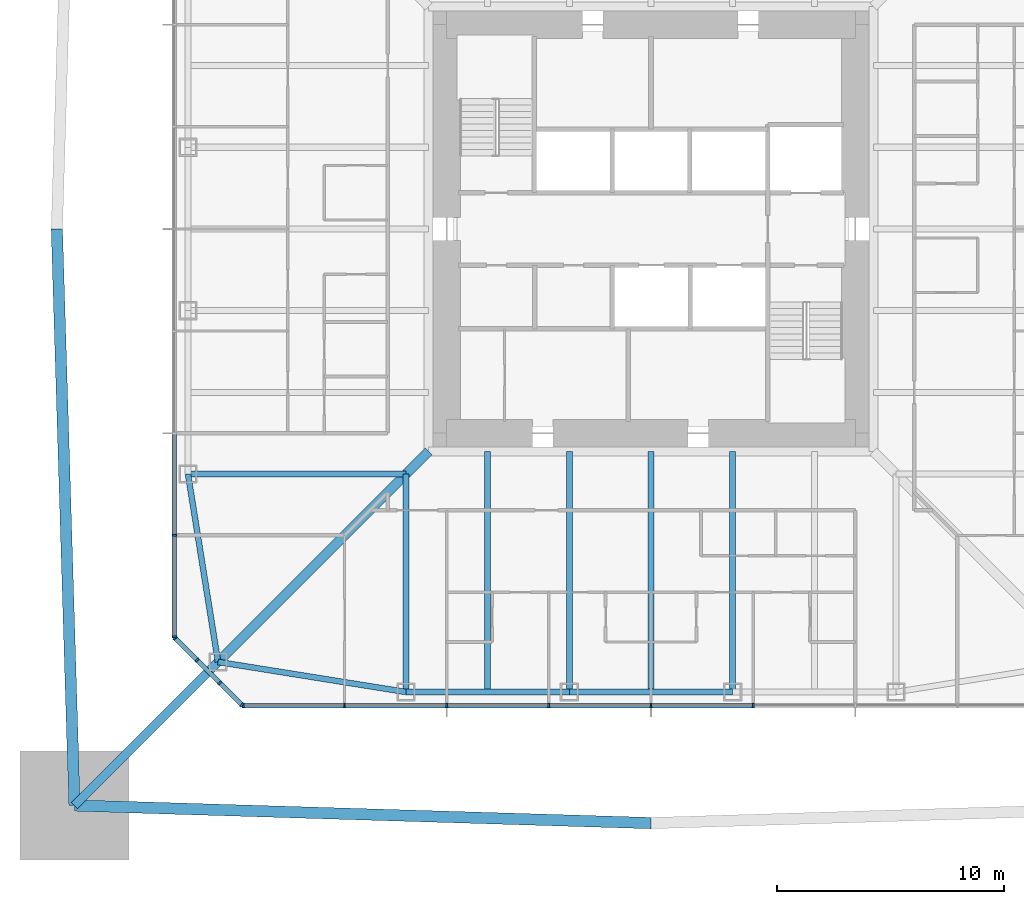
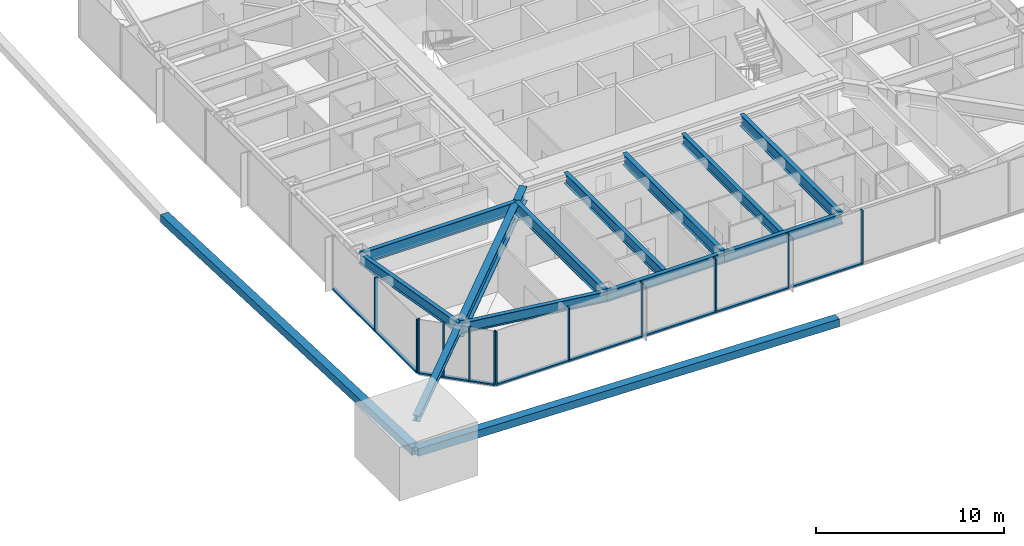
# One storey, part 3 of 27: 25 members, 11 beams, 3 elements without a shape of their own.
"""IFC4 building model written with IfcOpenShell, lengths in metres."""

from ifc_helpers import new_model, si_unit, direction, frame, origin, origin_2d, place, context, subcontext, project, spatial, rectangle, hollow_rectangle, i_section, extrude, material, material_profile, profile_set, type_object, element, aggregate, save


model = new_model("IFC4")

# Units and contexts
model_context = context("Model", 3, precision=1e-05, world=origin(), true_north=direction((0.0, 1.0)))
body_context = subcontext(model_context, "Body", "Model", "MODEL_VIEW")
ifc_project = project(units=[si_unit("LENGTHUNIT", "METRE"), si_unit("AREAUNIT", "SQUARE_METRE"), si_unit("VOLUMEUNIT", "CUBIC_METRE"), si_unit("PLANEANGLEUNIT", "RADIAN"), si_unit("MASSUNIT", "GRAM", prefix="KILO")], contexts=[model_context])

# Site, building, storey
site_placement = place(None, origin())
site = spatial("IfcSite", under=ifc_project, at=site_placement, CompositionType="ELEMENT")
building_placement = place(site_placement, origin())
building = spatial("IfcBuilding", under=site, at=building_placement, Name="Iwan Alto Co-Living Towers", CompositionType="ELEMENT")
storey_placement = place(building_placement, frame((0.0, 0.0, 91.0)))
storey = spatial("IfcBuildingStorey", under=building, at=storey_placement, Name="L24", CompositionType="ELEMENT", Elevation=91.0)

# Curtain wall, members
ifc_material_1 = material(Name="Bronze aluminium unitised frame", Category="aluminium")
curtain_wall_type_1 = type_object("IfcCurtainWallType", Name="CURTAIN WALL CW-A", PredefinedType="NOTDEFINED", material=ifc_material_1)
curtain_wall_1_placement = place(storey_placement, origin())
curtain_wall_1 = element("IfcCurtainWall", 1, at=curtain_wall_1_placement, inside=storey, type_object=curtain_wall_type_1, Name="T1 curtain wall S L24", PredefinedType="NOTDEFINED")
ifc_material_2 = material(Name="Aluminium 6063-T6 bronze anodised", Category="aluminium")
ifc_material_profile_1 = material_profile(ifc_material_2, rectangle(XDim=0.199951171875, YDim=0.080078125, at=origin_2d()), Name="AL 80X200")
ifc_profile_set_1 = profile_set([ifc_material_profile_1], Name="Aluminium 6063-T6 bronze anodised")
member_type_1 = type_object("IfcMemberType", Name="CW-A MULLION 80X200", PredefinedType="MULLION", material=ifc_profile_set_1)
member_1_placement = place(storey_placement, frame((-17.9599609375, -21.0, 0.0), z_axis=(0.0, 0.0, 1.0), x_axis=(0.0, 1.0, 0.0)))
member_1 = element("IfcMember", 2, at=member_1_placement, type_object=member_type_1, Name="CW-A mullion 1", PredefinedType="MULLION", context=body_context, shape_type="SweptSolid", body=[
    extrude(rectangle(XDim=0.199951171875, YDim=0.080078125, at=origin_2d()), origin(), (0.0, 0.0, 1.0), 3.5),
])
member_2_placement = place(storey_placement, frame((-13.5, -21.0, 0.0), z_axis=(0.0, 0.0, 1.0), x_axis=(0.0, 1.0, 0.0)))
member_2 = element("IfcMember", 3, at=member_2_placement, type_object=member_type_1, Name="CW-A mullion 2", PredefinedType="MULLION", context=body_context, shape_type="SweptSolid", body=[
    extrude(rectangle(XDim=0.199951171875, YDim=0.080078125, at=origin_2d()), origin(), (0.0, 0.0, 1.0), 3.5),
])
member_3_placement = place(storey_placement, frame((-9.0, -21.0, 0.0), z_axis=(0.0, 0.0, 1.0), x_axis=(0.0, 1.0, 0.0)))
member_3 = element("IfcMember", 4, at=member_3_placement, type_object=member_type_1, Name="CW-A mullion 3", PredefinedType="MULLION", context=body_context, shape_type="SweptSolid", body=[
    extrude(rectangle(XDim=0.199951171875, YDim=0.080078125, at=origin_2d()), origin(), (0.0, 0.0, 1.0), 3.5),
])
member_4_placement = place(storey_placement, frame((-4.5, -21.0, 0.0), z_axis=(0.0, 0.0, 1.0), x_axis=(0.0, 1.0, 0.0)))
member_4 = element("IfcMember", 5, at=member_4_placement, type_object=member_type_1, Name="CW-A mullion 4", PredefinedType="MULLION", context=body_context, shape_type="SweptSolid", body=[
    extrude(rectangle(XDim=0.199951171875, YDim=0.080078125, at=origin_2d()), origin(), (0.0, 0.0, 1.0), 3.5),
])
member_5_placement = place(storey_placement, frame((0.0, -21.0, 0.0), z_axis=(0.0, 0.0, 1.0), x_axis=(0.0, 1.0, 0.0)))
member_5 = element("IfcMember", 6, at=member_5_placement, type_object=member_type_1, Name="CW-A mullion 5", PredefinedType="MULLION", context=body_context, shape_type="SweptSolid", body=[
    extrude(rectangle(XDim=0.199951171875, YDim=0.080078125, at=origin_2d()), origin(), (0.0, 0.0, 1.0), 3.5),
])
member_6_placement = place(storey_placement, frame((4.5, -21.0, 0.0), z_axis=(0.0, 0.0, 1.0), x_axis=(0.0, 1.0, 0.0)))
member_6 = element("IfcMember", 7, at=member_6_placement, type_object=member_type_1, Name="CW-A mullion 6", PredefinedType="MULLION", context=body_context, shape_type="SweptSolid", body=[
    extrude(rectangle(XDim=0.199951171875, YDim=0.080078125, at=origin_2d()), origin(), (0.0, 0.0, 1.0), 3.5),
])

curtain_wall_2_placement = place(storey_placement, origin())
curtain_wall_2 = element("IfcCurtainWall", 8, at=curtain_wall_2_placement, inside=storey, type_object=curtain_wall_type_1, Name="T1 curtain wall W L24", PredefinedType="NOTDEFINED")
member_7_placement = place(storey_placement, frame((-21.0, -13.5, 0.0), z_axis=(0.0, 0.0, 1.0), x_axis=(1.0, 0.0, 0.0)))
member_7 = element("IfcMember", 9, at=member_7_placement, type_object=member_type_1, Name="CW-A mullion 8", PredefinedType="MULLION", context=body_context, shape_type="SweptSolid", body=[
    extrude(rectangle(XDim=0.199951171875, YDim=0.080078125, at=origin_2d()), origin(), (0.0, 0.0, 1.0), 3.5),
])
member_8_placement = place(storey_placement, frame((-21.0, -17.9599609375, 0.0), z_axis=(0.0, 0.0, 1.0), x_axis=(1.0, 0.0, 0.0)))
member_8 = element("IfcMember", 10, at=member_8_placement, type_object=member_type_1, Name="CW-A mullion 9", PredefinedType="MULLION", context=body_context, shape_type="SweptSolid", body=[
    extrude(rectangle(XDim=0.199951171875, YDim=0.080078125, at=origin_2d()), origin(), (0.0, 0.0, 1.0), 3.5),
])

# Member
ifc_material_3 = material(Name="Aluminium 6063-T6 bronze anodised", Category="aluminium")
ifc_material_profile_2 = material_profile(ifc_material_3, rectangle(XDim=0.199951171875, YDim=0.10009765625, at=origin_2d()), Name="AL 200X100")
ifc_profile_set_2 = profile_set([ifc_material_profile_2], Name="Aluminium 6063-T6 bronze anodised")
member_type_2 = type_object("IfcMemberType", Name="CW-A TRANSOM 200X100", PredefinedType="USERDEFINED", material=ifc_profile_set_2)
member_9_placement = place(storey_placement, frame((-17.919921875, -21.0, 0.050048828125), z_axis=(1.0, 0.0, 0.0), x_axis=(0.0, 1.0, 0.0)))
member_9 = element("IfcMember", 11, at=member_9_placement, type_object=member_type_2, Name="CW-A transom 1.1", ObjectType="TRANSOM", PredefinedType="USERDEFINED", context=body_context, shape_type="SweptSolid", body=[
    extrude(rectangle(XDim=0.199951171875, YDim=0.10009765625, at=origin_2d()), origin(), (0.0, 0.0, 1.0), 4.3798828125),
])

member_10_placement = place(storey_placement, frame((-13.4599609375, -21.0, 0.050048828125), z_axis=(1.0, 0.0, 0.0), x_axis=(0.0, 1.0, 0.0)))
member_10 = element("IfcMember", 12, at=member_10_placement, type_object=member_type_2, Name="CW-A transom 2.1", ObjectType="TRANSOM", PredefinedType="USERDEFINED", context=body_context, shape_type="SweptSolid", body=[
    extrude(rectangle(XDim=0.199951171875, YDim=0.10009765625, at=origin_2d()), origin(), (0.0, 0.0, 1.0), 4.419921875),
])

member_11_placement = place(storey_placement, frame((-8.9599609375, -21.0, 0.050048828125), z_axis=(1.0, 0.0, 0.0), x_axis=(0.0, 1.0, 0.0)))
member_11 = element("IfcMember", 13, at=member_11_placement, type_object=member_type_2, Name="CW-A transom 3.1", ObjectType="TRANSOM", PredefinedType="USERDEFINED", context=body_context, shape_type="SweptSolid", body=[
    extrude(rectangle(XDim=0.199951171875, YDim=0.10009765625, at=origin_2d()), origin(), (0.0, 0.0, 1.0), 4.419921875),
])

member_12_placement = place(storey_placement, frame((-4.4599609375, -21.0, 0.050048828125), z_axis=(1.0, 0.0, 0.0), x_axis=(0.0, 1.0, 0.0)))
member_12 = element("IfcMember", 14, at=member_12_placement, type_object=member_type_2, Name="CW-A transom 4.1", ObjectType="TRANSOM", PredefinedType="USERDEFINED", context=body_context, shape_type="SweptSolid", body=[
    extrude(rectangle(XDim=0.199951171875, YDim=0.10009765625, at=origin_2d()), origin(), (0.0, 0.0, 1.0), 4.419921875),
])

member_13_placement = place(storey_placement, frame((0.0400390625, -21.0, 0.050048828125), z_axis=(1.0, 0.0, 0.0), x_axis=(0.0, 1.0, 0.0)))
member_13 = element("IfcMember", 15, at=member_13_placement, type_object=member_type_2, Name="CW-A transom 5.1", ObjectType="TRANSOM", PredefinedType="USERDEFINED", context=body_context, shape_type="SweptSolid", body=[
    extrude(rectangle(XDim=0.199951171875, YDim=0.10009765625, at=origin_2d()), origin(), (0.0, 0.0, 1.0), 4.419921875),
])

aggregate(curtain_wall_1, [member_1, member_2, member_3, member_4, member_5, member_6, member_9, member_10, member_11, member_12, member_13])

member_14_placement = place(storey_placement, frame((-21.0, -9.0400390625, 0.050048828125), z_axis=(0.0, -1.0, 0.0), x_axis=(1.0, 0.0, 0.0)))
member_14 = element("IfcMember", 16, at=member_14_placement, type_object=member_type_2, Name="CW-A transom 7.1", ObjectType="TRANSOM", PredefinedType="USERDEFINED", context=body_context, shape_type="SweptSolid", body=[
    extrude(rectangle(XDim=0.199951171875, YDim=0.10009765625, at=origin_2d()), origin(), (0.0, 0.0, 1.0), 4.419921875),
])

member_15_placement = place(storey_placement, frame((-21.0, -13.5400390625, 0.050048828125), z_axis=(0.0, -1.0, 0.0), x_axis=(1.0, 0.0, 0.0)))
member_15 = element("IfcMember", 17, at=member_15_placement, type_object=member_type_2, Name="CW-A transom 8.1", ObjectType="TRANSOM", PredefinedType="USERDEFINED", context=body_context, shape_type="SweptSolid", body=[
    extrude(rectangle(XDim=0.199951171875, YDim=0.10009765625, at=origin_2d()), origin(), (0.0, 0.0, 1.0), 4.3798828125),
])

aggregate(curtain_wall_2, [member_7, member_8, member_14, member_15])

# Curtain wall, members
ifc_material_4 = material(Name="Bronze aluminium unitised frame", Category="aluminium")
curtain_wall_type_2 = type_object("IfcCurtainWallType", Name="CURTAIN WALL CW-B", PredefinedType="NOTDEFINED", material=ifc_material_4)
curtain_wall_3_placement = place(storey_placement, origin())
curtain_wall_3 = element("IfcCurtainWall", 18, at=curtain_wall_3_placement, inside=storey, type_object=curtain_wall_type_2, Name="T1 chamfer curtain wall SW L24", PredefinedType="NOTDEFINED")
ifc_material_5 = material(Name="Aluminium 6063-T6 bronze anodised", Category="aluminium")
ifc_material_profile_3 = material_profile(ifc_material_5, rectangle(XDim=0.199951171875, YDim=0.080078125, at=origin_2d()), Name="AL 80X200")
ifc_profile_set_3 = profile_set([ifc_material_profile_3], Name="Aluminium 6063-T6 bronze anodised")
member_type_3 = type_object("IfcMemberType", Name="CW-B MULLION 80X200", PredefinedType="MULLION", material=ifc_profile_set_3)
member_16_placement = place(storey_placement, frame((-20.9716796875, -18.0283203125, 0.0), z_axis=(0.0, 0.0, 1.0), x_axis=(0.707106781187, 0.707106781187, 0.0)))
member_16 = element("IfcMember", 19, at=member_16_placement, type_object=member_type_3, Name="CW-B mullion 1", PredefinedType="MULLION", context=body_context, shape_type="SweptSolid", body=[
    extrude(rectangle(XDim=0.199951171875, YDim=0.080078125, at=origin_2d()), origin(), (0.0, 0.0, 1.0), 3.5),
])
member_17_placement = place(storey_placement, frame((-20.0, -19.0, 0.0), z_axis=(0.0, 0.0, 1.0), x_axis=(0.707106781187, 0.707106781187, 0.0)))
member_17 = element("IfcMember", 20, at=member_17_placement, type_object=member_type_3, Name="CW-B mullion 2", PredefinedType="MULLION", context=body_context, shape_type="SweptSolid", body=[
    extrude(rectangle(XDim=0.199951171875, YDim=0.080078125, at=origin_2d()), origin(), (0.0, 0.0, 1.0), 3.5),
])
member_18_placement = place(storey_placement, frame((-19.0, -20.0, 0.0), z_axis=(0.0, 0.0, 1.0), x_axis=(0.707106781187, 0.707106781187, 0.0)))
member_18 = element("IfcMember", 21, at=member_18_placement, type_object=member_type_3, Name="CW-B mullion 3", PredefinedType="MULLION", context=body_context, shape_type="SweptSolid", body=[
    extrude(rectangle(XDim=0.199951171875, YDim=0.080078125, at=origin_2d()), origin(), (0.0, 0.0, 1.0), 3.5),
])
member_19_placement = place(storey_placement, frame((-18.0283203125, -20.9716796875, 0.0), z_axis=(0.0, 0.0, 1.0), x_axis=(0.707106781187, 0.707106781187, 0.0)))
member_19 = element("IfcMember", 22, at=member_19_placement, type_object=member_type_3, Name="CW-B mullion 4", PredefinedType="MULLION", context=body_context, shape_type="SweptSolid", body=[
    extrude(rectangle(XDim=0.199951171875, YDim=0.080078125, at=origin_2d()), origin(), (0.0, 0.0, 1.0), 3.5),
])
ifc_material_6 = material(Name="Aluminium 6063-T6 bronze anodised", Category="aluminium")
ifc_material_profile_4 = material_profile(ifc_material_6, rectangle(XDim=0.199951171875, YDim=0.10009765625, at=origin_2d()), Name="AL 200X100")
ifc_profile_set_4 = profile_set([ifc_material_profile_4], Name="Aluminium 6063-T6 bronze anodised")
member_type_4 = type_object("IfcMemberType", Name="CW-B TRANSOM 200X100", PredefinedType="USERDEFINED", material=ifc_profile_set_4)
member_20_placement = place(storey_placement, frame((-20.943359375, -18.056640625, 0.050048828125), z_axis=(0.707106781187, -0.707106781187, 0.0), x_axis=(0.707106781187, 0.707106781187, 0.0)))
member_20 = element("IfcMember", 23, at=member_20_placement, type_object=member_type_4, Name="CW-B transom 1.1", ObjectType="TRANSOM", PredefinedType="USERDEFINED", context=body_context, shape_type="SweptSolid", body=[
    extrude(rectangle(XDim=0.199951171875, YDim=0.10009765625, at=origin_2d()), origin(), (0.0, 0.0, 1.0), 1.2939453125),
])
member_21_placement = place(storey_placement, frame((-19.9716796875, -19.0283203125, 0.050048828125), z_axis=(0.707106781187, -0.707106781187, 0.0), x_axis=(0.707106781187, 0.707106781187, 0.0)))
member_21 = element("IfcMember", 24, at=member_21_placement, type_object=member_type_4, Name="CW-B transom 2.1", ObjectType="TRANSOM", PredefinedType="USERDEFINED", context=body_context, shape_type="SweptSolid", body=[
    extrude(rectangle(XDim=0.199951171875, YDim=0.10009765625, at=origin_2d()), origin(), (0.0, 0.0, 1.0), 1.334228515625),
])
member_22_placement = place(storey_placement, frame((-18.9716796875, -20.0283203125, 0.050048828125), z_axis=(0.707106781187, -0.707106781187, 0.0), x_axis=(0.707106781187, 0.707106781187, 0.0)))
member_22 = element("IfcMember", 25, at=member_22_placement, type_object=member_type_4, Name="CW-B transom 3.1", ObjectType="TRANSOM", PredefinedType="USERDEFINED", context=body_context, shape_type="SweptSolid", body=[
    extrude(rectangle(XDim=0.199951171875, YDim=0.10009765625, at=origin_2d()), origin(), (0.0, 0.0, 1.0), 1.2939453125),
])
aggregate(curtain_wall_3, [member_16, member_17, member_18, member_19, member_20, member_21, member_22])

# Beams
ifc_material_7 = material(Name="Steel ASTM A992 Gr 50", Category="steel")
ifc_material_profile_5 = material_profile(ifc_material_7, i_section(OverallWidth=0.419189453125, OverallDepth=0.927001953125, WebThickness=0.019287109375, FlangeThickness=0.031982421875, at=origin_2d()), Name="W36X231")
ifc_profile_set_5 = profile_set([ifc_material_profile_5], Name="Steel ASTM A992 Gr 50")
beam_type_1 = type_object("IfcBeamType", Name="T1 CORNER GIRDER W36X231", PredefinedType="BEAM", material=ifc_profile_set_5)
beam_1_placement = place(storey_placement, frame((-19.07568359375, -19.07568359375, 2.806396484375), z_axis=(0.707106781187, 0.707106781187, 0.0), x_axis=(-0.707106781187, 0.707106781187, 0.0)))
element("IfcBeam", 26, at=beam_1_placement, inside=storey, type_object=beam_type_1, Name="T1 corner girder CSW L25", PredefinedType="BEAM", context=body_context, shape_type="SweptSolid", body=[
    extrude(i_section(OverallWidth=0.419189453125, OverallDepth=0.927001953125, WebThickness=0.019287109375, FlangeThickness=0.031982421875, at=origin_2d()), origin(), (0.0, 0.0, 1.0), 13.11865234375),
])
ifc_material_8 = material(Name="Steel ASTM A992 Gr 50", Category="steel")
ifc_material_profile_6 = material_profile(ifc_material_8, i_section(OverallWidth=0.25390625, OverallDepth=0.683349609375, WebThickness=0.012451171875, FlangeThickness=0.018798828125, at=origin_2d()), Name="W27X94")
ifc_profile_set_6 = profile_set([ifc_material_profile_6], Name="Steel ASTM A992 Gr 50")
beam_type_2 = type_object("IfcBeamType", Name="T1 EDGE BEAM W27X94", PredefinedType="BEAM", material=ifc_profile_set_6)
beam_2_placement = place(storey_placement, frame((-19.07568359375, -19.07568359375, 2.928466796875), z_axis=(0.987438450439, -0.158004134737, 0.0), x_axis=(0.158004134737, 0.987438450439, 0.0)))
element("IfcBeam", 27, at=beam_2_placement, inside=storey, type_object=beam_type_2, Name="T1 edge beam CSW L25", PredefinedType="BEAM", context=body_context, shape_type="SweptSolid", body=[
    extrude(i_section(OverallWidth=0.25390625, OverallDepth=0.683349609375, WebThickness=0.012451171875, FlangeThickness=0.018798828125, at=origin_2d()), origin(), (0.0, 0.0, 1.0), 8.380859375),
])
beam_3_placement = place(storey_placement, frame((-10.800048828125, -20.39990234375, 2.928466796875), z_axis=(1.0, 0.0, 0.0), x_axis=(0.0, 1.0, 0.0)))
element("IfcBeam", 28, at=beam_3_placement, inside=storey, type_object=beam_type_2, Name="T1 edge beam S1 L25", PredefinedType="BEAM", context=body_context, shape_type="SweptSolid", body=[
    extrude(i_section(OverallWidth=0.25390625, OverallDepth=0.683349609375, WebThickness=0.012451171875, FlangeThickness=0.018798828125, at=origin_2d()), origin(), (0.0, 0.0, 1.0), 7.199951171875),
])
beam_4_placement = place(storey_placement, frame((-3.60009765625, -20.39990234375, 2.928466796875), z_axis=(1.0, 0.0, 0.0), x_axis=(0.0, 1.0, 0.0)))
element("IfcBeam", 29, at=beam_4_placement, inside=storey, type_object=beam_type_2, Name="T1 edge beam S2 L25", PredefinedType="BEAM", context=body_context, shape_type="SweptSolid", body=[
    extrude(i_section(OverallWidth=0.25390625, OverallDepth=0.683349609375, WebThickness=0.012451171875, FlangeThickness=0.018798828125, at=origin_2d()), origin(), (0.0, 0.0, 1.0), 7.2001953125),
])
beam_5_placement = place(storey_placement, frame((-20.39990234375, -10.800048828125, 2.928466796875), z_axis=(0.158004134737, -0.987438450439, 0.0), x_axis=(0.987438450439, 0.158004134737, 0.0)))
element("IfcBeam", 30, at=beam_5_placement, inside=storey, type_object=beam_type_2, Name="T1 edge beam W4 L25", PredefinedType="BEAM", context=body_context, shape_type="SweptSolid", body=[
    extrude(i_section(OverallWidth=0.25390625, OverallDepth=0.683349609375, WebThickness=0.012451171875, FlangeThickness=0.018798828125, at=origin_2d()), origin(), (0.0, 0.0, 1.0), 8.380859375),
])

# Members
ifc_material_9 = material(Name="Steel ASTM A992 Gr 50", Category="steel")
ifc_material_profile_7 = material_profile(ifc_material_9, i_section(OverallWidth=0.393798828125, OverallDepth=0.3759765625, WebThickness=0.017333984375, FlangeThickness=0.027587890625, at=origin_2d()), Name="W14X145")
ifc_profile_set_7 = profile_set([ifc_material_profile_7], Name="Steel ASTM A992 Gr 50")
member_type_5 = type_object("IfcMemberType", Name="T1 MEGA COLUMN FLOOR TIE W14X145", PredefinedType="STRUT", material=ifc_profile_set_7)
member_23_placement = place(storey_placement, frame((-25.39990234375, -25.39990234375, 3.08203125), z_axis=(0.707106781187, 0.707106781187, 0.0), x_axis=(-0.707106781187, 0.707106781187, 0.0)))
element("IfcMember", 31, at=member_23_placement, inside=storey, type_object=member_type_5, Name="T1 mega column floor tie SW L25", PredefinedType="STRUT", context=body_context, shape_type="SweptSolid", body=[
    extrude(i_section(OverallWidth=0.393798828125, OverallDepth=0.3759765625, WebThickness=0.017333984375, FlangeThickness=0.027587890625, at=origin_2d()), origin(), (0.0, 0.0, 1.0), 8.94384765625),
])
ifc_material_10 = material(Name="Steel ASTM A572 Gr 50", Category="steel")
ifc_material_profile_8 = material_profile(ifc_material_10, hollow_rectangle(XDim=0.5, YDim=0.5, WallThickness=0.031982421875, at=origin_2d()), Name="BOX 500X500X32")
ifc_profile_set_8 = profile_set([ifc_material_profile_8], Name="Steel ASTM A572 Gr 50")
member_type_6 = type_object("IfcMemberType", Name="T1 MEGA TIE BOX 500X500X32", PredefinedType="STRUT", material=ifc_profile_set_8)
for number, where, z_axis, x_axis, name in (
    (32, (-25.39990234375, -25.39990234375, 1.01904296875), (0.999534074116, -0.030522691262, 0.0), (0.030522691262, 0.999534074116, 0.0), "T1 mega tie Z2A S 1"),
    (33, (-26.175537109375, 0.0, 1.01904296875), (0.030522691262, -0.999534074116, 0.0), (0.999534074116, 0.030522691262, 0.0), "T1 mega tie Z2A W 2"),
):
    element("IfcMember", number, at=place(storey_placement, frame(where, z_axis=z_axis, x_axis=x_axis)), inside=storey, type_object=member_type_6, Name=name, PredefinedType="STRUT", context=body_context, shape_type="SweptSolid", body=[
        extrude(hollow_rectangle(XDim=0.5, YDim=0.5, WallThickness=0.031982421875, at=origin_2d()), origin(), (0.0, 0.0, 1.0), 25.41162109375),
    ])

# Beams
ifc_material_11 = material(Name="Steel ASTM A992 Gr 50", Category="steel")
ifc_material_profile_9 = material_profile(ifc_material_11, i_section(OverallWidth=0.2666015625, OverallDepth=0.761962890625, WebThickness=0.014404296875, FlangeThickness=0.021484375, at=origin_2d()), Name="W30X116")
ifc_profile_set_9 = profile_set([ifc_material_profile_9], Name="Steel ASTM A992 Gr 50")
beam_type_3 = type_object("IfcBeamType", Name="T1 RADIAL BEAM W30X116", PredefinedType="BEAM", material=ifc_profile_set_9)
beam_6_placement = place(storey_placement, frame((-10.800048828125, -20.39990234375, 2.888916015625), z_axis=(0.0, 1.0, 0.0), x_axis=(-1.0, 0.0, 0.0)))
element("IfcBeam", 34, at=beam_6_placement, inside=storey, type_object=beam_type_3, Name="T1 radial beam S1 L25", PredefinedType="BEAM", context=body_context, shape_type="SweptSolid", body=[
    extrude(i_section(OverallWidth=0.2666015625, OverallDepth=0.761962890625, WebThickness=0.014404296875, FlangeThickness=0.021484375, at=origin_2d()), origin(), (0.0, 0.0, 1.0), 9.599853515625),
])
for number, where, z_axis, x_axis, name in (
    (35, (-3.60009765625, -20.39990234375, 2.888916015625), (0.0, 1.0, 0.0), (-1.0, 0.0, 0.0), "T1 radial beam S2 L25"),
    (36, (3.60009765625, -20.39990234375, 2.888916015625), (0.0, 1.0, 0.0), (-1.0, 0.0, 0.0), "T1 radial beam S3 L25"),
):
    element("IfcBeam", number, at=place(storey_placement, frame(where, z_axis=z_axis, x_axis=x_axis)), inside=storey, type_object=beam_type_3, Name=name, PredefinedType="BEAM", context=body_context, shape_type="SweptSolid", body=[
        extrude(i_section(OverallWidth=0.2666015625, OverallDepth=0.761962890625, WebThickness=0.014404296875, FlangeThickness=0.021484375, at=origin_2d()), origin(), (0.0, 0.0, 1.0), 10.6005859375),
    ])
beam_7_placement = place(storey_placement, frame((-20.39990234375, -10.800048828125, 2.888916015625), z_axis=(1.0, 0.0, 0.0), x_axis=(0.0, 1.0, 0.0)))
element("IfcBeam", 37, at=beam_7_placement, inside=storey, type_object=beam_type_3, Name="T1 radial beam W4 L25", PredefinedType="BEAM", context=body_context, shape_type="SweptSolid", body=[
    extrude(i_section(OverallWidth=0.2666015625, OverallDepth=0.761962890625, WebThickness=0.014404296875, FlangeThickness=0.021484375, at=origin_2d()), origin(), (0.0, 0.0, 1.0), 9.599853515625),
])
ifc_material_12 = material(Name="Steel ASTM A992 Gr 50", Category="steel")
ifc_material_profile_10 = material_profile(ifc_material_12, i_section(OverallWidth=0.25390625, OverallDepth=0.683349609375, WebThickness=0.012451171875, FlangeThickness=0.018798828125, at=origin_2d()), Name="W27X94")
ifc_profile_set_10 = profile_set([ifc_material_profile_10], Name="Steel ASTM A992 Gr 50")
beam_type_4 = type_object("IfcBeamType", Name="T1 SECONDARY BEAM W27X94", PredefinedType="JOIST", material=ifc_profile_set_10)
for number, where, z_axis, x_axis, name in (
    (38, (-7.199951171875, -20.39990234375, 2.928466796875), (0.0, 1.0, 0.0), (-1.0, 0.0, 0.0), "T1 secondary beam S1 L25"),
    (39, (0.0, -20.39990234375, 2.928466796875), (0.0, 1.0, 0.0), (-1.0, 0.0, 0.0), "T1 secondary beam S2 L25"),
):
    element("IfcBeam", number, at=place(storey_placement, frame(where, z_axis=z_axis, x_axis=x_axis)), inside=storey, type_object=beam_type_4, Name=name, PredefinedType="JOIST", context=body_context, shape_type="SweptSolid", body=[
        extrude(i_section(OverallWidth=0.25390625, OverallDepth=0.683349609375, WebThickness=0.012451171875, FlangeThickness=0.018798828125, at=origin_2d()), origin(), (0.0, 0.0, 1.0), 10.6005859375),
    ])

save(model, "model.ifc")
